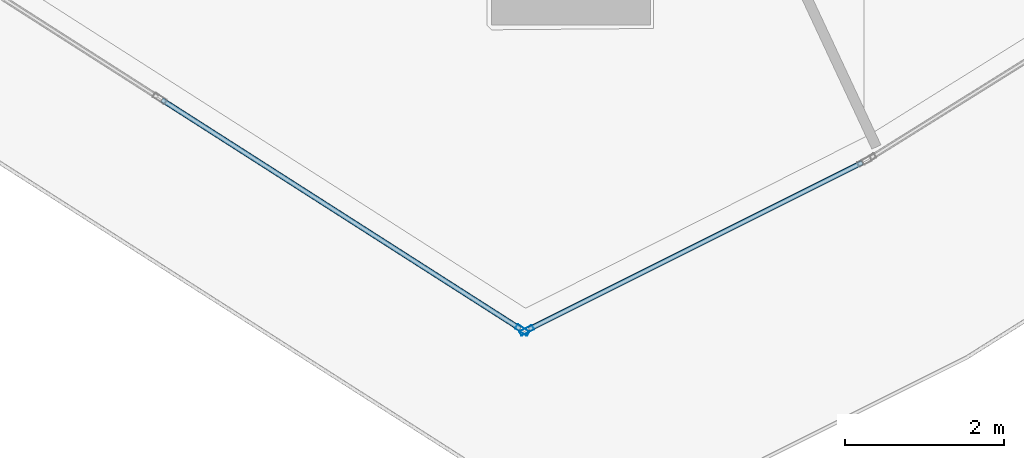
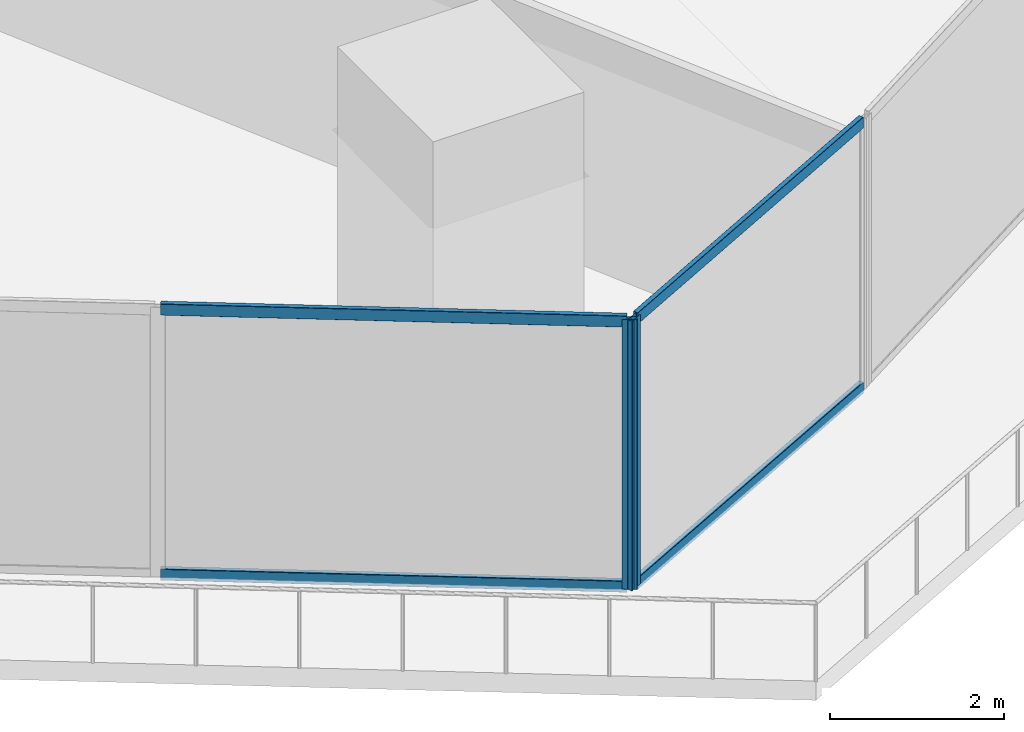
# One storey, part 8 of 38: 6 members, 2 elements without a shape of their own.
"""IFC4 building model written with IfcOpenShell, lengths in metres."""

from ifc_helpers import new_model, si_unit, direction, frame, origin, origin_2d, place, context, subcontext, project, spatial, hollow_rectangle, extrude, material, layer, layer_set, material_profile, profile_set, type_object, element, aggregate, save


model = new_model("IFC4")

# Units and contexts
model_context = context("Model", 3, precision=1e-05, world=origin(), true_north=direction((0.0, 1.0)))
body_context = subcontext(model_context, "Body", "Model", "MODEL_VIEW")
ifc_project = project(units=[si_unit("LENGTHUNIT", "METRE"), si_unit("AREAUNIT", "SQUARE_METRE"), si_unit("VOLUMEUNIT", "CUBIC_METRE"), si_unit("PLANEANGLEUNIT", "RADIAN"), si_unit("MASSUNIT", "GRAM", prefix="KILO")], contexts=[model_context])

# Site, building, storey
site_placement = place(None, origin())
site = spatial("IfcSite", under=ifc_project, at=site_placement, CompositionType="ELEMENT")
building_placement = place(site_placement, origin())
building = spatial("IfcBuilding", under=site, at=building_placement, Name="Qorvath Tower", CompositionType="ELEMENT")
storey_placement = place(building_placement, frame((0.0, 0.0, 134.10009765625)))
storey = spatial("IfcBuildingStorey", under=building, at=storey_placement, Name="L30", CompositionType="ELEMENT", Elevation=134.10009765625)

# Curtain wall, member
ifc_material_1 = material(Name="Anodised aluminium and triple low-E glass", Category="aluminium")
ifc_layer = layer(ifc_material_1, 0.179931640625)
ifc_layer_set = layer_set([ifc_layer], Name="CW-SYS-3")
curtain_wall_type = type_object("IfcCurtainWallType", Name="CW-SYS-3", PredefinedType="NOTDEFINED", material=ifc_layer_set)
curtain_wall_1_placement = place(storey_placement, origin())
curtain_wall_1 = element("IfcCurtainWall", 1, at=curtain_wall_1_placement, inside=storey, type_object=curtain_wall_type, Name="Curtain Wall CW-3 CW-T-L30-2.1", PredefinedType="NOTDEFINED")
ifc_material_2 = material(Name="Anodised aluminium 6063-T6", Category="aluminium")
ifc_material_profile_1 = material_profile(ifc_material_2, hollow_rectangle(XDim=0.06494140625, YDim=0.179931640625, WallThickness=0.00341796875, InnerFilletRadius=0.00341796875, OuterFilletRadius=0.007080078125, at=origin_2d()), Name="CWM 180x65")
ifc_profile_set_1 = profile_set([ifc_material_profile_1], Name="Anodised aluminium 6063-T6")
member_type_1 = type_object("IfcMemberType", Name="CWM-180", PredefinedType="MULLION", material=ifc_profile_set_1)
member_1_placement = place(storey_placement, frame((-15.958251953125, -30.18994140625, 0.0), z_axis=(0.0, 0.0, 1.0), x_axis=(0.538534399095, 0.842603525385, 0.0)))
member_1 = element("IfcMember", 2, at=member_1_placement, type_object=member_type_1, Name="CW-3 mullion 10", PredefinedType="MULLION", context=body_context, shape_type="SweptSolid", body=[
    extrude(hollow_rectangle(XDim=0.06494140625, YDim=0.179931640625, WallThickness=0.00341796875, InnerFilletRadius=0.00341796875, OuterFilletRadius=0.007080078125, at=origin_2d()), origin(), (0.0, 0.0, 1.0), 3.77978515625),
])

curtain_wall_2_placement = place(storey_placement, origin())
curtain_wall_2 = element("IfcCurtainWall", 3, at=curtain_wall_2_placement, inside=storey, type_object=curtain_wall_type, Name="Curtain Wall CW-3 CW-T-L30-3.1", PredefinedType="NOTDEFINED")
member_2_placement = place(storey_placement, frame((-15.90185546875, -30.19287109375, 0.0), z_axis=(0.0, 0.0, 1.0), x_axis=(-0.447213595499, 0.894427191001, 0.0)))
member_2 = element("IfcMember", 4, at=member_2_placement, type_object=member_type_1, Name="CW-3 mullion 1", PredefinedType="MULLION", context=body_context, shape_type="SweptSolid", body=[
    extrude(hollow_rectangle(XDim=0.06494140625, YDim=0.179931640625, WallThickness=0.00341796875, InnerFilletRadius=0.00341796875, OuterFilletRadius=0.007080078125, at=origin_2d()), origin(), (0.0, 0.0, 1.0), 3.77978515625),
])

# Member
ifc_material_3 = material(Name="Anodised aluminium 6063-T6", Category="aluminium")
ifc_material_profile_2 = material_profile(ifc_material_3, hollow_rectangle(XDim=0.06494140625, YDim=0.159912109375, WallThickness=0.00341796875, InnerFilletRadius=0.00341796875, OuterFilletRadius=0.007080078125, at=origin_2d()), Name="CWT 160x65")
ifc_profile_set_2 = profile_set([ifc_material_profile_2], Name="Anodised aluminium 6063-T6")
member_type_2 = type_object("IfcMemberType", Name="CWT-160", PredefinedType="USERDEFINED", material=ifc_profile_set_2)
member_3_placement = place(storey_placement, frame((-20.49853515625, -27.2880859375, 0.032470703125), z_axis=(0.842589967804, -0.538555611015, 0.0), x_axis=(0.538555611015, 0.842589967804, 0.0)))
member_3 = element("IfcMember", 5, at=member_3_placement, type_object=member_type_2, Name="CW-3 transom 9.1", ObjectType="TRANSOM", PredefinedType="USERDEFINED", context=body_context, shape_type="SweptSolid", body=[
    extrude(hollow_rectangle(XDim=0.06494140625, YDim=0.159912109375, WallThickness=0.00341796875, InnerFilletRadius=0.00341796875, OuterFilletRadius=0.007080078125, at=origin_2d()), origin(), (0.0, 0.0, 1.0), 5.35595703125),
])

member_4_placement = place(storey_placement, frame((-20.49853515625, -27.2880859375, 3.747314453125), z_axis=(0.842589967804, -0.538555611015, 0.0), x_axis=(0.538555611015, 0.842589967804, 0.0)))
member_4 = element("IfcMember", 6, at=member_4_placement, type_object=member_type_2, Name="CW-3 transom 9.2", ObjectType="TRANSOM", PredefinedType="USERDEFINED", context=body_context, shape_type="SweptSolid", body=[
    extrude(hollow_rectangle(XDim=0.06494140625, YDim=0.159912109375, WallThickness=0.00341796875, InnerFilletRadius=0.00341796875, OuterFilletRadius=0.007080078125, at=origin_2d()), origin(), (0.0, 0.0, 1.0), 5.35595703125),
])

aggregate(curtain_wall_1, [member_1, member_3, member_4])

member_5_placement = place(storey_placement, frame((-15.872802734375, -30.178466796875, 0.032470703125), z_axis=(0.894427191, 0.4472135955, 0.0), x_axis=(-0.4472135955, 0.894427191, 0.0)))
member_5 = element("IfcMember", 7, at=member_5_placement, type_object=member_type_2, Name="CW-3 transom 1.1", ObjectType="TRANSOM", PredefinedType="USERDEFINED", context=body_context, shape_type="SweptSolid", body=[
    extrude(hollow_rectangle(XDim=0.06494140625, YDim=0.159912109375, WallThickness=0.00341796875, InnerFilletRadius=0.00341796875, OuterFilletRadius=0.007080078125, at=origin_2d()), origin(), (0.0, 0.0, 1.0), 4.69482421875),
])

member_6_placement = place(storey_placement, frame((-15.872802734375, -30.178466796875, 3.747314453125), z_axis=(0.894427191, 0.4472135955, 0.0), x_axis=(-0.4472135955, 0.894427191, 0.0)))
member_6 = element("IfcMember", 8, at=member_6_placement, type_object=member_type_2, Name="CW-3 transom 1.2", ObjectType="TRANSOM", PredefinedType="USERDEFINED", context=body_context, shape_type="SweptSolid", body=[
    extrude(hollow_rectangle(XDim=0.06494140625, YDim=0.159912109375, WallThickness=0.00341796875, InnerFilletRadius=0.00341796875, OuterFilletRadius=0.007080078125, at=origin_2d()), origin(), (0.0, 0.0, 1.0), 4.69482421875),
])

aggregate(curtain_wall_2, [member_2, member_5, member_6])

save(model, "model.ifc")
